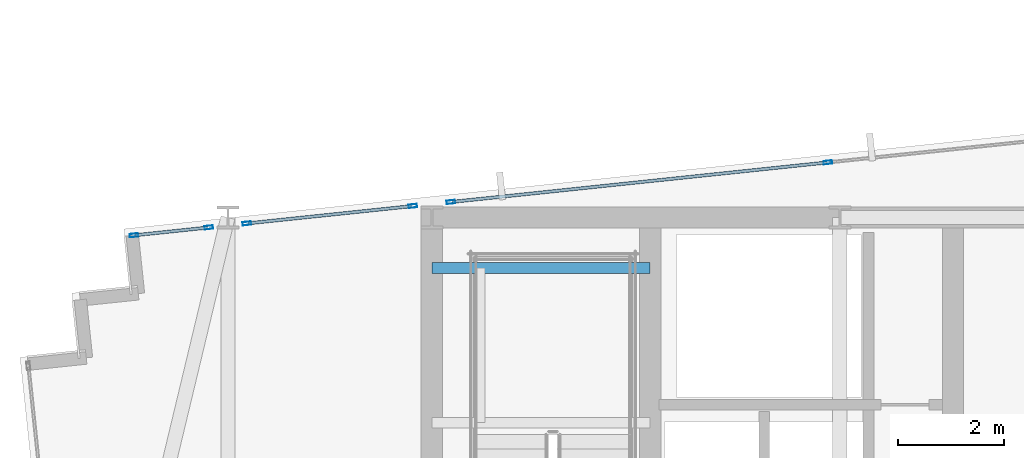
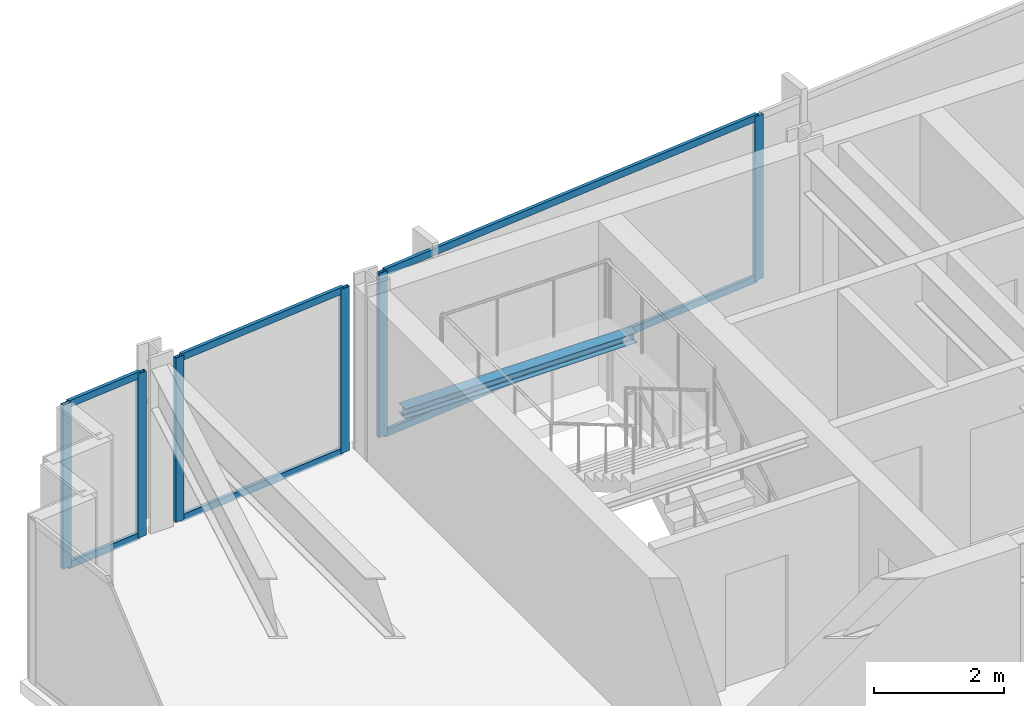
# One storey, part 20 of 32: 12 members, 1 beam, 3 elements without a shape of their own.
"""IFC4 building model written with IfcOpenShell, lengths in metres."""

import ifcopenshell
import ifcopenshell.guid

model = None  # the IFC model being written
_history = None  # IfcOwnerHistory: only IFC2X3 demands one
_inside = {}  # id of a spatial element -> (the spatial element, [elements in it])
_under = {}  # id of a project, library or spatial element -> (it, [spatial elements below it])
_declared = {}  # id of a project -> (the project, [libraries it declares])
_typed = {}  # id of a type object -> (the type object, [elements of that type])
_made_of = {}  # id of a material, layer set ... -> (it, [elements and type objects made of it])


def new_model(schema):
    """Start an empty IFC model of exactly this schema.

    Asked for "IFC4X3", IfcOpenShell would pick the latest addendum, in which some entities
    have other attributes; the version numbers below select the first issue.
    IFC2X3 requires an IfcOwnerHistory on every rooted entity: one is made here for all.
    """
    global model, _history
    if schema == "IFC4X3":
        model = ifcopenshell.file(schema_version=(4, 3, 0, 0))
    else:
        model = ifcopenshell.file(schema=schema)
    _inside.clear()
    _under.clear()
    _declared.clear()
    _typed.clear()
    _made_of.clear()
    _history = None
    if model.schema == "IFC2X3":
        org = make("IfcOrganization", Name="unknown")
        user = make(
            "IfcPersonAndOrganization",
            ThePerson=make("IfcPerson", FamilyName="unknown"),
            TheOrganization=org,
        )
        app = make(
            "IfcApplication",
            ApplicationDeveloper=org,
            Version="unknown",
            ApplicationFullName="unknown",
            ApplicationIdentifier="unknown",
        )
        _history = make(
            "IfcOwnerHistory",
            OwningUser=user,
            OwningApplication=app,
            ChangeAction="ADDED",
            CreationDate=0,
        )
    return model


def make(cls, **values):
    """One entity of the class cls with the attributes given. An attribute that is None is left unset."""
    return model.create_entity(
        cls, **{name: value for name, value in values.items() if value is not None}
    )


def rooted(cls, **values):
    """An entity with a GlobalId (a new one), such as an element, a storey or a relation."""
    return make(cls, GlobalId=ifcopenshell.guid.new(), OwnerHistory=_history, **values)


def si_unit(unit_type, name, prefix=None):
    """IfcSIUnit, for example si_unit("LENGTHUNIT", "METRE", prefix="MILLI")."""
    return make("IfcSIUnit", UnitType=unit_type, Prefix=prefix, Name=name)


def assignment(units):
    """IfcUnitAssignment: the units of a project."""
    return None if units is None else make("IfcUnitAssignment", Units=units)


def point(xyz):
    """IfcCartesianPoint."""
    return None if xyz is None else make("IfcCartesianPoint", Coordinates=xyz)


def direction(xyz):
    """IfcDirection."""
    return None if xyz is None else make("IfcDirection", DirectionRatios=xyz)


def frame(location, z_axis=None, x_axis=None):
    """IfcAxis2Placement3D, a coordinate frame: its origin and axes. An axis left out is left unset."""
    return make(
        "IfcAxis2Placement3D",
        Location=point(location),
        Axis=direction(z_axis),
        RefDirection=direction(x_axis),
    )


def frame_2d(location, x_axis=None):
    """IfcAxis2Placement2D, a coordinate frame in the plane: its origin and x axis."""
    return make(
        "IfcAxis2Placement2D", Location=point(location), RefDirection=direction(x_axis)
    )


def origin():
    """The frame at (0, 0, 0) with its axes left unset."""
    return frame((0.0, 0.0, 0.0))


def origin_2d():
    """The frame at (0, 0) in the plane with its x axis left unset."""
    return frame_2d((0.0, 0.0))


def place(relative_to, where):
    """IfcLocalPlacement: puts the frame where relative to a parent placement (None: the world)."""
    return make(
        "IfcLocalPlacement", PlacementRelTo=relative_to, RelativePlacement=where
    )


def context(
    kind, dimensions, precision=None, world=None, true_north=None, identifier=None
):
    """IfcGeometricRepresentationContext, for example the 3D "Model" context."""
    return make(
        "IfcGeometricRepresentationContext",
        ContextIdentifier=identifier,
        ContextType=kind,
        CoordinateSpaceDimension=dimensions,
        Precision=precision,
        WorldCoordinateSystem=world,
        TrueNorth=true_north,
    )


def subcontext(parent, identifier, kind, view, scale=None):
    """IfcGeometricRepresentationSubContext, for example "Body" below "Model"."""
    return make(
        "IfcGeometricRepresentationSubContext",
        ContextIdentifier=identifier,
        ContextType=kind,
        ParentContext=parent,
        TargetScale=scale,
        TargetView=view,
    )


def project(units=None, contexts=None):
    """IfcProject with its units and contexts."""
    return rooted(
        "IfcProject",
        Name="project",
        RepresentationContexts=contexts,
        UnitsInContext=assignment(units),
    )


def spatial(cls, under=None, at=None, **own):
    """A site, building, storey or space (cls), placed at a placement, below another one or the project."""
    s = rooted(cls, ObjectPlacement=at, **own)
    if under is not None:
        _under.setdefault(under.id(), (under, []))[1].append(s)
    return s


def profile(cls, at=None, kind="AREA", **sizes):
    """A parametric profile (cls). Its sizes go by their IFC names, for example OverallWidth=200.0."""
    return make(cls, ProfileType=kind, Position=at, **sizes)


def hollow_rectangle(**sizes):
    """IfcRectangleHollowProfileDef."""
    return profile("IfcRectangleHollowProfileDef", **sizes)


def i_section(**sizes):
    """IfcIShapeProfileDef."""
    return profile("IfcIShapeProfileDef", **sizes)


def extrude(swept, where, along, depth):
    """IfcExtrudedAreaSolid: the profile swept, set in the frame where, extruded along a direction by depth."""
    return make(
        "IfcExtrudedAreaSolid",
        SweptArea=swept,
        Position=where,
        ExtrudedDirection=direction(along),
        Depth=depth,
    )


def shape(context_of_items, identifier, shape_type, items):
    """IfcShapeRepresentation: the items that make up one representation, for example the "Body"."""
    return make(
        "IfcShapeRepresentation",
        ContextOfItems=context_of_items,
        RepresentationIdentifier=identifier,
        RepresentationType=shape_type,
        Items=items,
    )


def material(Name=None, Category=None):
    """IfcMaterial."""
    return make("IfcMaterial", Name=Name, Category=Category)


def material_profile(
    of_material, cross_section, Name=None, Category=None, Priority=None
):
    """IfcMaterialProfile: a cross section and its material."""
    return make(
        "IfcMaterialProfile",
        Name=Name,
        Material=of_material,
        Profile=cross_section,
        Priority=Priority,
        Category=Category,
    )


def profile_set(profiles, Name=None, composite=None):
    """IfcMaterialProfileSet."""
    return make(
        "IfcMaterialProfileSet",
        Name=Name,
        MaterialProfiles=profiles,
        CompositeProfile=composite,
    )


def made_of(thing, what):
    """Note that an element or type object is made of a material, layer set ...; save() writes the relation."""
    if what is not None:
        _made_of.setdefault(what.id(), (what, []))[1].append(thing)
    return thing


def type_object(cls, material=None, **own):
    """A type object (cls), such as IfcWallType, which elements share."""
    return made_of(rooted(cls, **own), material)


def element(
    cls,
    number,
    at=None,
    inside=None,
    cuts=None,
    type_object=None,
    material=None,
    context=None,
    identifier="Body",
    shape_type=None,
    held_by="IfcProductDefinitionShape",
    body=None,
    shapes=None,
    **own,
):
    """One element of the class cls, such as IfcWall. Its Tag is "e" and its number.

    at: its placement. inside: the storey or other place that contains it. cuts: it is an
    opening in that element (IfcRelVoidsElement). A single representation is given by context,
    identifier, shape_type and body (its items); several are given by shapes. held_by: the class
    of the entity that holds the representations. save() writes the other relations.
    """
    e = rooted(cls, Tag="e%d" % number, ObjectPlacement=at, **own)
    if body is not None:
        shapes = [shape(context, identifier, shape_type, body)]
    if shapes is not None:
        e.Representation = make(held_by, Representations=shapes)
    if inside is not None:
        _inside.setdefault(inside.id(), (inside, []))[1].append(e)
    if cuts is not None:
        rooted(
            "IfcRelVoidsElement", RelatingBuildingElement=cuts, RelatedOpeningElement=e
        )
    if type_object is not None:
        _typed.setdefault(type_object.id(), (type_object, []))[1].append(e)
    return made_of(e, material)


def aggregate(whole, parts):
    """IfcRelAggregates: a whole, such as a stair, and the parts it consists of."""
    return rooted("IfcRelAggregates", RelatingObject=whole, RelatedObjects=parts)


def save(model, path):
    """Write the relations noted so far, then the file.

    IfcRelAggregates (storeys below a building ...), IfcRelContainedInSpatialStructure (elements
    in a storey), IfcRelDefinesByType, IfcRelAssociatesMaterial and IfcRelDeclares: one each for
    every whole, place, type object, material and project.
    """
    for whole, parts in _under.values():
        aggregate(whole, parts)
    for where, things in _inside.values():
        rooted(
            "IfcRelContainedInSpatialStructure",
            RelatedElements=things,
            RelatingStructure=where,
        )
    for kind, things in _typed.values():
        rooted("IfcRelDefinesByType", RelatedObjects=things, RelatingType=kind)
    for what, things in _made_of.values():
        rooted("IfcRelAssociatesMaterial", RelatedObjects=things, RelatingMaterial=what)
    for by, libraries in _declared.values():
        rooted("IfcRelDeclares", RelatingContext=by, RelatedDefinitions=libraries)
    model.write(path)


model = new_model("IFC4")

# Units and contexts
model_context = context("Model", 3, precision=1e-05, world=origin(), true_north=direction((0.0, 1.0)))
body_context = subcontext(model_context, "Body", "Model", "MODEL_VIEW")
ifc_project = project(units=[si_unit("LENGTHUNIT", "METRE"), si_unit("AREAUNIT", "SQUARE_METRE"), si_unit("VOLUMEUNIT", "CUBIC_METRE"), si_unit("PLANEANGLEUNIT", "RADIAN"), si_unit("MASSUNIT", "GRAM", prefix="KILO")], contexts=[model_context])

# Site, building, storey
site_placement = place(None, origin())
site = spatial("IfcSite", under=ifc_project, at=site_placement, CompositionType="ELEMENT")
building_placement = place(site_placement, origin())
building = spatial("IfcBuilding", under=site, at=building_placement, Name="Yelkora Congress Tower", CompositionType="ELEMENT")
storey_placement = place(building_placement, frame((0.0, 0.0, 217.699951171875)))
storey = spatial("IfcBuildingStorey", under=building, at=storey_placement, Name="L60", CompositionType="ELEMENT", Elevation=217.699951171875)

# Beam
ifc_material_1 = material(Name="Steel S355J2", Category="steel")
ifc_material_profile_1 = material_profile(ifc_material_1, i_section(OverallWidth=0.199951171875, OverallDepth=0.18994140625, WebThickness=0.006591796875, FlangeThickness=0.010009765625, FilletRadius=0.01806640625, at=origin_2d()), Name="HEA 200")
ifc_profile_set_1 = profile_set([ifc_material_profile_1], Name="Steel S355J2")
beam_type = type_object("IfcBeamType", Name="BM-LAND-HEA200", PredefinedType="BEAM", material=ifc_profile_set_1)
beam_placement = place(storey_placement, frame((23.0400390625, 45.25, 1.334716796875), z_axis=(1.0, 0.0, 0.0), x_axis=(0.0, 1.0, 0.0)))
element("IfcBeam", 1, at=beam_placement, inside=storey, type_object=beam_type, Name="ST-01 L60 Landing Header Beam 1N", PredefinedType="BEAM", context=body_context, shape_type="SweptSolid", body=[
    extrude(i_section(OverallWidth=0.199951171875, OverallDepth=0.18994140625, WebThickness=0.006591796875, FlangeThickness=0.010009765625, FilletRadius=0.01806640625, at=origin_2d()), origin(), (0.0, 0.0, 1.0), 4.10986328125),
])

# Curtain wall, members
ifc_material_2 = material(Name="Anodised aluminium and insulated glass", Category="aluminium")
curtain_wall_type = type_object("IfcCurtainWallType", Name="CW-SYS-B4", PredefinedType="NOTDEFINED", material=ifc_material_2)
curtain_wall_1_placement = place(storey_placement, origin())
curtain_wall_1 = element("IfcCurtainWall", 2, at=curtain_wall_1_placement, inside=storey, type_object=curtain_wall_type, Name="L60 Unitised Curtain Wall 10 (1)", PredefinedType="NOTDEFINED")
ifc_material_3 = material(Name="Anodised aluminium 6063-T6", Category="aluminium")
ifc_material_profile_2 = material_profile(ifc_material_3, hollow_rectangle(XDim=0.06494140625, YDim=0.159912109375, WallThickness=0.00390625, at=origin_2d()), Name="ALU 65x160x4")
ifc_profile_set_2 = profile_set([ifc_material_profile_2], Name="Anodised aluminium 6063-T6")
member_type_1 = type_object("IfcMemberType", Name="MEM-ML-B4", PredefinedType="MULLION", material=ifc_profile_set_2)
member_1_placement = place(storey_placement, frame((17.431396484375, 45.865966796875, 0.0), z_axis=(0.0, 0.0, 1.0), x_axis=(-0.104509292244, 0.994523910137, 0.0)))
member_1 = element("IfcMember", 3, at=member_1_placement, type_object=member_type_1, Name="CW-B4 mullion 1", PredefinedType="MULLION", context=body_context, shape_type="SweptSolid", body=[
    extrude(hollow_rectangle(XDim=0.06494140625, YDim=0.159912109375, WallThickness=0.00390625, at=origin_2d()), origin(), (0.0, 0.0, 1.0), 3.080078125),
])
member_2_placement = place(storey_placement, frame((18.841796875, 46.01416015625, 0.0), z_axis=(0.0, 0.0, 1.0), x_axis=(-0.104509292244, 0.994523910137, 0.0)))
member_2 = element("IfcMember", 4, at=member_2_placement, type_object=member_type_1, Name="CW-B4 mullion 2", PredefinedType="MULLION", context=body_context, shape_type="SweptSolid", body=[
    extrude(hollow_rectangle(XDim=0.06494140625, YDim=0.159912109375, WallThickness=0.00390625, at=origin_2d()), origin(), (0.0, 0.0, 1.0), 3.080078125),
])

curtain_wall_2_placement = place(storey_placement, origin())
curtain_wall_2 = element("IfcCurtainWall", 5, at=curtain_wall_2_placement, inside=storey, type_object=curtain_wall_type, Name="L60 Unitised Curtain Wall 10 (2)", PredefinedType="NOTDEFINED")
member_3_placement = place(storey_placement, frame((19.558349609375, 46.089599609375, 0.0), z_axis=(0.0, 0.0, 1.0), x_axis=(-0.104506154437, 0.994524239868, 0.0)))
member_3 = element("IfcMember", 6, at=member_3_placement, type_object=member_type_1, Name="CW-B4 mullion 1", PredefinedType="MULLION", context=body_context, shape_type="SweptSolid", body=[
    extrude(hollow_rectangle(XDim=0.06494140625, YDim=0.159912109375, WallThickness=0.00390625, at=origin_2d()), origin(), (0.0, 0.0, 1.0), 3.080078125),
])
member_4_placement = place(storey_placement, frame((22.681640625, 46.417724609375, 0.0), z_axis=(0.0, 0.0, 1.0), x_axis=(-0.104506154437, 0.994524239868, 0.0)))
member_4 = element("IfcMember", 7, at=member_4_placement, type_object=member_type_1, Name="CW-B4 mullion 2", PredefinedType="MULLION", context=body_context, shape_type="SweptSolid", body=[
    extrude(hollow_rectangle(XDim=0.06494140625, YDim=0.159912109375, WallThickness=0.00390625, at=origin_2d()), origin(), (0.0, 0.0, 1.0), 3.080078125),
])

curtain_wall_3_placement = place(storey_placement, origin())
curtain_wall_3 = element("IfcCurtainWall", 8, at=curtain_wall_3_placement, inside=storey, type_object=curtain_wall_type, Name="L60 Unitised Curtain Wall 10 (3)", PredefinedType="NOTDEFINED")
member_5_placement = place(storey_placement, frame((23.3984375, 46.4931640625, 0.0), z_axis=(0.0, 0.0, 1.0), x_axis=(-0.104527724021, 0.994521973066, 0.0)))
member_5 = element("IfcMember", 9, at=member_5_placement, type_object=member_type_1, Name="CW-B4 mullion 1", PredefinedType="MULLION", context=body_context, shape_type="SweptSolid", body=[
    extrude(hollow_rectangle(XDim=0.06494140625, YDim=0.159912109375, WallThickness=0.00390625, at=origin_2d()), origin(), (0.0, 0.0, 1.0), 3.080078125),
])
member_6_placement = place(storey_placement, frame((30.496826171875, 47.2392578125, 0.0), z_axis=(0.0, 0.0, 1.0), x_axis=(-0.104527724021, 0.994521973066, 0.0)))
member_6 = element("IfcMember", 10, at=member_6_placement, type_object=member_type_1, Name="CW-B4 mullion 2", PredefinedType="MULLION", context=body_context, shape_type="SweptSolid", body=[
    extrude(hollow_rectangle(XDim=0.06494140625, YDim=0.159912109375, WallThickness=0.00390625, at=origin_2d()), origin(), (0.0, 0.0, 1.0), 3.080078125),
])

# Member
ifc_material_profile_3 = material_profile(ifc_material_3, hollow_rectangle(XDim=0.06005859375, YDim=0.1298828125, WallThickness=0.00390625, at=origin_2d()), Name="ALU 60x130x4")
ifc_profile_set_3 = profile_set([ifc_material_profile_3], Name="Anodised aluminium 6063-T6")
member_type_2 = type_object("IfcMemberType", Name="MEM-TR-B4", PredefinedType="USERDEFINED", material=ifc_profile_set_3)
member_7_placement = place(storey_placement, frame((17.463623046875, 45.869384765625, 0.030029296875), z_axis=(0.994528168538, 0.10446876081, 0.0), x_axis=(-0.10446876081, 0.994528168538, 0.0)))
member_7 = element("IfcMember", 11, at=member_7_placement, type_object=member_type_2, Name="CW-B4 transom 1.1", ObjectType="TRANSOM", PredefinedType="USERDEFINED", context=body_context, shape_type="SweptSolid", body=[
    extrude(hollow_rectangle(XDim=0.06005859375, YDim=0.1298828125, WallThickness=0.00390625, at=origin_2d()), origin(), (0.0, 0.0, 1.0), 1.35302734375),
])

member_8_placement = place(storey_placement, frame((17.463623046875, 45.869384765625, 3.050048828125), z_axis=(0.994528168538, 0.10446876081, 0.0), x_axis=(-0.10446876081, 0.994528168538, 0.0)))
member_8 = element("IfcMember", 12, at=member_8_placement, type_object=member_type_2, Name="CW-B4 transom 1.2", ObjectType="TRANSOM", PredefinedType="USERDEFINED", context=body_context, shape_type="SweptSolid", body=[
    extrude(hollow_rectangle(XDim=0.06005859375, YDim=0.1298828125, WallThickness=0.00390625, at=origin_2d()), origin(), (0.0, 0.0, 1.0), 1.35302734375),
])

aggregate(curtain_wall_1, [member_1, member_2, member_7, member_8])

member_9_placement = place(storey_placement, frame((19.590576171875, 46.093017578125, 0.030029296875), z_axis=(0.994528915126, 0.104461653149, 0.0), x_axis=(-0.104461653149, 0.994528915126, 0.0)))
member_9 = element("IfcMember", 13, at=member_9_placement, type_object=member_type_2, Name="CW-B4 transom 1.1", ObjectType="TRANSOM", PredefinedType="USERDEFINED", context=body_context, shape_type="SweptSolid", body=[
    extrude(hollow_rectangle(XDim=0.06005859375, YDim=0.1298828125, WallThickness=0.00390625, at=origin_2d()), origin(), (0.0, 0.0, 1.0), 3.07568359375),
])

member_10_placement = place(storey_placement, frame((19.590576171875, 46.093017578125, 3.050048828125), z_axis=(0.994528915126, 0.104461653149, 0.0), x_axis=(-0.104461653149, 0.994528915126, 0.0)))
member_10 = element("IfcMember", 14, at=member_10_placement, type_object=member_type_2, Name="CW-B4 transom 1.2", ObjectType="TRANSOM", PredefinedType="USERDEFINED", context=body_context, shape_type="SweptSolid", body=[
    extrude(hollow_rectangle(XDim=0.06005859375, YDim=0.1298828125, WallThickness=0.00390625, at=origin_2d()), origin(), (0.0, 0.0, 1.0), 3.07568359375),
])

aggregate(curtain_wall_2, [member_3, member_4, member_9, member_10])

member_11_placement = place(storey_placement, frame((23.4306640625, 46.49658203125, 0.030029296875), z_axis=(0.994522085625, 0.104526653081, 0.0), x_axis=(-0.104526653081, 0.994522085625, 0.0)))
member_11 = element("IfcMember", 15, at=member_11_placement, type_object=member_type_2, Name="CW-B4 transom 1.1", ObjectType="TRANSOM", PredefinedType="USERDEFINED", context=body_context, shape_type="SweptSolid", body=[
    extrude(hollow_rectangle(XDim=0.06005859375, YDim=0.1298828125, WallThickness=0.00390625, at=origin_2d()), origin(), (0.0, 0.0, 1.0), 7.072509765625),
])

member_12_placement = place(storey_placement, frame((23.4306640625, 46.49658203125, 3.050048828125), z_axis=(0.994522085625, 0.104526653081, 0.0), x_axis=(-0.104526653081, 0.994522085625, 0.0)))
member_12 = element("IfcMember", 16, at=member_12_placement, type_object=member_type_2, Name="CW-B4 transom 1.2", ObjectType="TRANSOM", PredefinedType="USERDEFINED", context=body_context, shape_type="SweptSolid", body=[
    extrude(hollow_rectangle(XDim=0.06005859375, YDim=0.1298828125, WallThickness=0.00390625, at=origin_2d()), origin(), (0.0, 0.0, 1.0), 7.072509765625),
])

aggregate(curtain_wall_3, [member_5, member_6, member_11, member_12])

save(model, "model.ifc")
